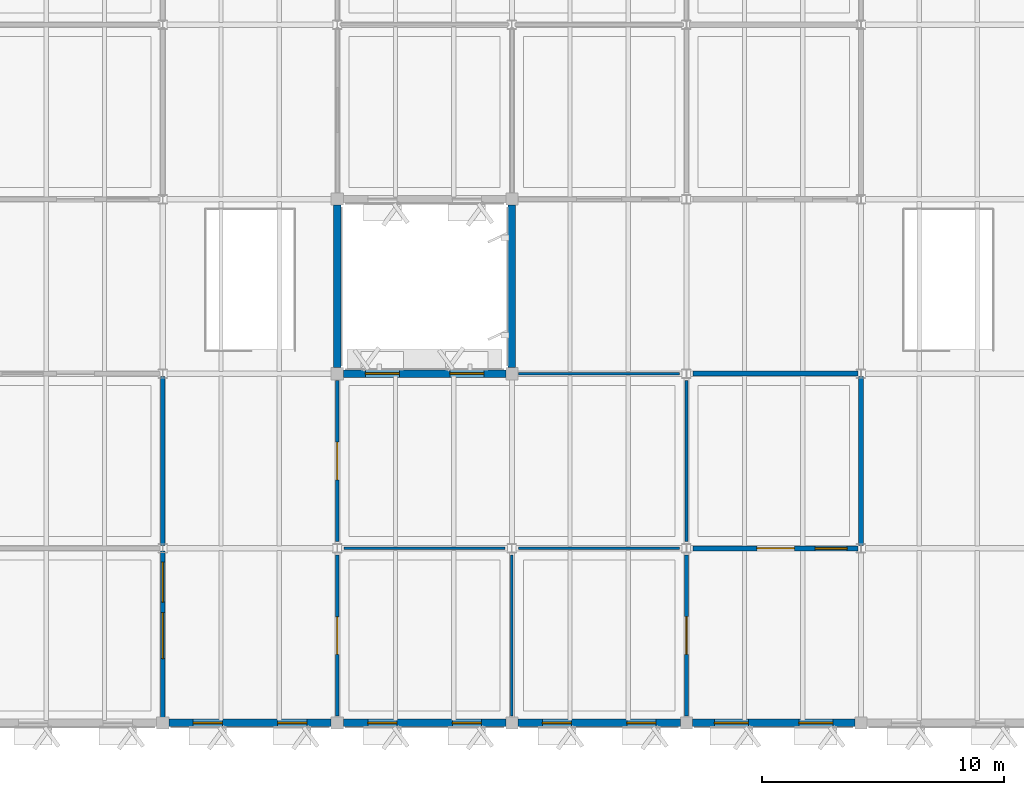
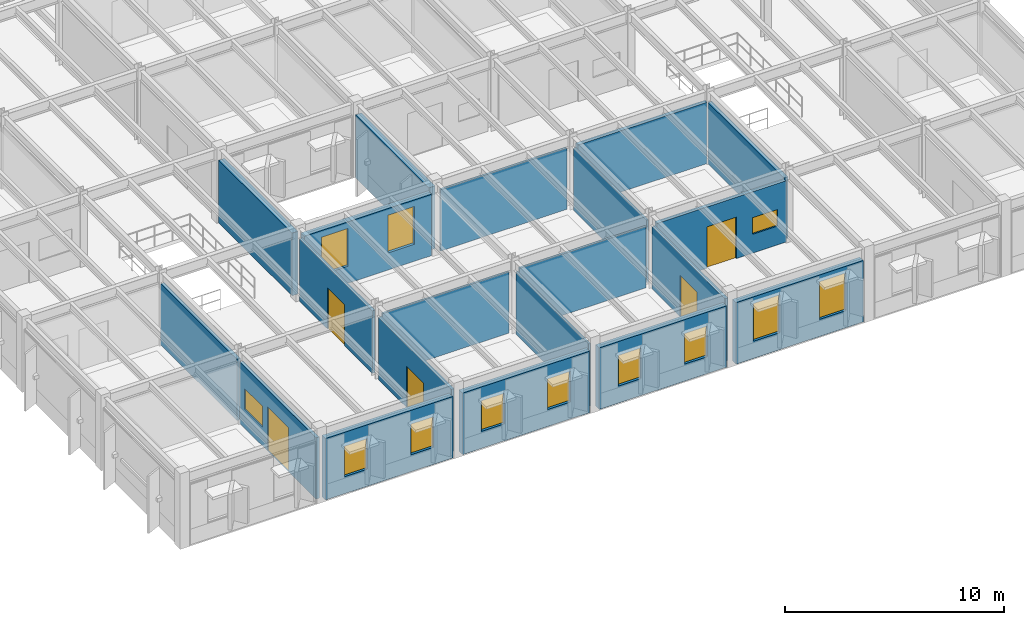
# One storey, part 35 of 85: 20 walls, 12 windows, 5 doors, 17 openings.
"""IFC4 building model written with IfcOpenShell, lengths in metres."""

from ifc_helpers import new_model, si_unit, direction, frame, frame_2d, origin, place, context, subcontext, project, spatial, rectangle, extrude, material, layer, layer_set, type_object, element, fill, save


model = new_model("IFC4")

# Units and contexts
model_context = context("Model", 3, precision=1e-05, world=origin(), true_north=direction((0.0, 1.0)))
body_context = subcontext(model_context, "Body", "Model", "MODEL_VIEW")
ifc_project = project(units=[si_unit("LENGTHUNIT", "METRE"), si_unit("AREAUNIT", "SQUARE_METRE"), si_unit("VOLUMEUNIT", "CUBIC_METRE"), si_unit("PLANEANGLEUNIT", "RADIAN"), si_unit("MASSUNIT", "GRAM", prefix="KILO")], contexts=[model_context])

# Site, building, storey
site_placement = place(None, origin())
site = spatial("IfcSite", under=ifc_project, at=site_placement, CompositionType="ELEMENT")
building_placement = place(site_placement, origin())
building = spatial("IfcBuilding", under=site, at=building_placement, Name="Sillqori Civic Hall", CompositionType="ELEMENT")
storey_placement = place(building_placement, frame((0.0, 0.0, 9.89990234375)))
storey = spatial("IfcBuildingStorey", under=building, at=storey_placement, Name="L03", CompositionType="ELEMENT", Elevation=9.89990234375)

# Wall, openings, windows
ifc_material_1 = material(Name="Precast concrete C40/50 (H40)", Category="concrete")
ifc_layer_1 = layer(ifc_material_1, 0.320068359375)
ifc_layer_set_1 = layer_set([ifc_layer_1], Name="Precast concrete C40/50 (H40)")
wall_type_1 = type_object("IfcWallType", Name="EW-LIME-320", PredefinedType="SOLIDWALL", material=ifc_layer_set_1)
wall_1_placement = place(storey_placement, frame((78.949951171875, 7.199951171875, 0.0), z_axis=(0.0, 0.0, 1.0), x_axis=(-1.0, 0.0, 0.0)))
wall_1 = element("IfcWall", 1, at=wall_1_placement, inside=storey, type_object=wall_type_1, Name="L03 V2 exterior wall L03-10-01-S", PredefinedType="SOLIDWALL", context=body_context, shape_type="SweptSolid", body=[
    extrude(rectangle(XDim=6.699951171875, YDim=0.320068359375, at=frame_2d((3.35009765625, 0.0))), origin(), (0.0, 0.0, 1.0), 3.418212890625),
])
opening_1_placement = place(wall_1_placement, frame((1.008056640625, 0.0, 0.949951171875)))
opening_1 = element("IfcOpeningElement", 2, at=opening_1_placement, cuts=wall_1, Name="Opening W-22", PredefinedType="OPENING", context=body_context, shape_type="SweptSolid", body=[
    extrude(rectangle(XDim=1.199951171875, YDim=1.699951171875, at=frame_2d((0.60009765625, 0.85009765625))), frame((0.0, 0.169921875, 0.0), z_axis=(0.0, -1.0, 0.0), x_axis=(1.0, 0.0, 0.0)), (0.0, 0.0, 1.0), 0.340087890625),
])
opening_2_placement = place(wall_1_placement, frame((4.491943359375, 0.0, 0.949951171875)))
opening_2 = element("IfcOpeningElement", 3, at=opening_2_placement, cuts=wall_1, Name="Opening W-22", PredefinedType="OPENING", context=body_context, shape_type="SweptSolid", body=[
    extrude(rectangle(XDim=1.199951171875, YDim=1.699951171875, at=frame_2d((0.60009765625, 0.85009765625))), frame((0.0, 0.169921875, 0.0), z_axis=(0.0, -1.0, 0.0), x_axis=(1.0, 0.0, 0.0)), (0.0, 0.0, 1.0), 0.340087890625),
])
ifc_material_2 = material(Name="Thermally Broken Aluminium Low-E Window", Category="aluminium")
window_type_1 = type_object("IfcWindowType", Name="WIN-V5-120X170", PartitioningType="SINGLE_PANEL", PredefinedType="WINDOW", material=ifc_material_2)
window_1_placement = place(opening_1_placement, origin())
window_1 = element("IfcWindow", 4, at=window_1_placement, inside=storey, type_object=window_type_1, Name="L03 V2 window L03-10-01-S.1", OverallHeight=1.699951171875, OverallWidth=1.199951171875, PartitioningType="SINGLE_PANEL", PredefinedType="WINDOW", context=body_context, shape_type="SweptSolid", body=[
    extrude(rectangle(XDim=1.199951171875, YDim=1.699951171875, at=frame_2d((0.60009765625, 0.85009765625))), frame((0.0, 0.030029296875, 0.0), z_axis=(0.0, -1.0, 0.0), x_axis=(1.0, 0.0, 0.0)), (0.0, 0.0, 1.0), 0.06005859375),
])
fill(opening_1, window_1)
window_2_placement = place(opening_2_placement, origin())
window_2 = element("IfcWindow", 5, at=window_2_placement, inside=storey, type_object=window_type_1, Name="L03 V2 window L03-10-01-S.2", OverallHeight=1.699951171875, OverallWidth=1.199951171875, PartitioningType="SINGLE_PANEL", PredefinedType="WINDOW", context=body_context, shape_type="SweptSolid", body=[
    extrude(rectangle(XDim=1.199951171875, YDim=1.699951171875, at=frame_2d((0.60009765625, 0.85009765625))), frame((0.0, 0.030029296875, 0.0), z_axis=(0.0, -1.0, 0.0), x_axis=(1.0, 0.0, 0.0)), (0.0, 0.0, 1.0), 0.06005859375),
])
fill(opening_2, window_2)

# Wall
wall_2_placement = place(storey_placement, frame((79.199951171875, 28.550048828125, 0.0), z_axis=(0.0, 0.0, 1.0), x_axis=(0.0, -1.0, 0.0)))
element("IfcWall", 6, at=wall_2_placement, inside=storey, type_object=wall_type_1, Name="L03 V2 exterior wall L03-10-03-E", PredefinedType="SOLIDWALL", context=body_context, shape_type="SweptSolid", body=[
    extrude(rectangle(XDim=6.699951171875, YDim=0.320068359375, at=frame_2d((3.35009765625, 0.0))), origin(), (0.0, 0.0, 1.0), 3.487060546875),
])

# Wall, openings, windows
wall_3_placement = place(storey_placement, frame((86.14990234375, 7.199951171875, 0.0), z_axis=(0.0, 0.0, 1.0), x_axis=(-1.0, 0.0, 0.0)))
wall_3 = element("IfcWall", 7, at=wall_3_placement, inside=storey, type_object=wall_type_1, Name="L03 V2 exterior wall L03-11-01-S", PredefinedType="SOLIDWALL", context=body_context, shape_type="SweptSolid", body=[
    extrude(rectangle(XDim=6.699951171875, YDim=0.320068359375, at=frame_2d((3.35009765625, 0.0))), origin(), (0.0, 0.0, 1.0), 3.418212890625),
])
opening_3_placement = place(wall_3_placement, frame((1.008056640625, 0.0, 0.949951171875)))
opening_3 = element("IfcOpeningElement", 8, at=opening_3_placement, cuts=wall_3, Name="Opening W-22", PredefinedType="OPENING", context=body_context, shape_type="SweptSolid", body=[
    extrude(rectangle(XDim=1.199951171875, YDim=1.699951171875, at=frame_2d((0.60009765625, 0.85009765625))), frame((0.0, 0.169921875, 0.0), z_axis=(0.0, -1.0, 0.0), x_axis=(1.0, 0.0, 0.0)), (0.0, 0.0, 1.0), 0.340087890625),
])
opening_4_placement = place(wall_3_placement, frame((4.491943359375, 0.0, 0.949951171875)))
opening_4 = element("IfcOpeningElement", 9, at=opening_4_placement, cuts=wall_3, Name="Opening W-22", PredefinedType="OPENING", context=body_context, shape_type="SweptSolid", body=[
    extrude(rectangle(XDim=1.199951171875, YDim=1.699951171875, at=frame_2d((0.60009765625, 0.85009765625))), frame((0.0, 0.169921875, 0.0), z_axis=(0.0, -1.0, 0.0), x_axis=(1.0, 0.0, 0.0)), (0.0, 0.0, 1.0), 0.340087890625),
])
window_3_placement = place(opening_3_placement, origin())
window_3 = element("IfcWindow", 10, at=window_3_placement, inside=storey, type_object=window_type_1, Name="L03 V2 window L03-11-01-S.1", OverallHeight=1.699951171875, OverallWidth=1.199951171875, PartitioningType="SINGLE_PANEL", PredefinedType="WINDOW", context=body_context, shape_type="SweptSolid", body=[
    extrude(rectangle(XDim=1.199951171875, YDim=1.699951171875, at=frame_2d((0.60009765625, 0.85009765625))), frame((0.0, 0.030029296875, 0.0), z_axis=(0.0, -1.0, 0.0), x_axis=(1.0, 0.0, 0.0)), (0.0, 0.0, 1.0), 0.06005859375),
])
fill(opening_3, window_3)
window_4_placement = place(opening_4_placement, origin())
window_4 = element("IfcWindow", 11, at=window_4_placement, inside=storey, type_object=window_type_1, Name="L03 V2 window L03-11-01-S.2", OverallHeight=1.699951171875, OverallWidth=1.199951171875, PartitioningType="SINGLE_PANEL", PredefinedType="WINDOW", context=body_context, shape_type="SweptSolid", body=[
    extrude(rectangle(XDim=1.199951171875, YDim=1.699951171875, at=frame_2d((0.60009765625, 0.85009765625))), frame((0.0, 0.030029296875, 0.0), z_axis=(0.0, -1.0, 0.0), x_axis=(1.0, 0.0, 0.0)), (0.0, 0.0, 1.0), 0.06005859375),
])
fill(opening_4, window_4)

wall_4_placement = place(storey_placement, frame((79.449951171875, 21.60009765625, 0.0), z_axis=(0.0, 0.0, 1.0), x_axis=(1.0, 0.0, 0.0)))
wall_4 = element("IfcWall", 12, at=wall_4_placement, inside=storey, type_object=wall_type_1, Name="L03 V2 exterior wall L03-11-02-N", PredefinedType="SOLIDWALL", context=body_context, shape_type="SweptSolid", body=[
    extrude(rectangle(XDim=6.699951171875, YDim=0.320068359375, at=frame_2d((3.35009765625, 0.0))), origin(), (0.0, 0.0, 1.0), 3.418212890625),
])
opening_5_placement = place(wall_4_placement, frame((0.907958984375, 0.0, 0.949951171875)))
opening_5 = element("IfcOpeningElement", 13, at=opening_5_placement, cuts=wall_4, Name="Opening W-03", PredefinedType="OPENING", context=body_context, shape_type="SweptSolid", body=[
    extrude(rectangle(XDim=1.39990234375, YDim=2.10009765625, at=frame_2d((0.699951171875, 1.050048828125))), frame((0.0, 0.169921875, 0.0), z_axis=(0.0, -1.0, 0.0), x_axis=(1.0, 0.0, 0.0)), (0.0, 0.0, 1.0), 0.340087890625),
])
opening_6_placement = place(wall_4_placement, frame((4.39208984375, 0.0, 0.949951171875)))
opening_6 = element("IfcOpeningElement", 14, at=opening_6_placement, cuts=wall_4, Name="Opening W-03", PredefinedType="OPENING", context=body_context, shape_type="SweptSolid", body=[
    extrude(rectangle(XDim=1.39990234375, YDim=2.10009765625, at=frame_2d((0.699951171875, 1.050048828125))), frame((0.0, 0.169921875, 0.0), z_axis=(0.0, -1.0, 0.0), x_axis=(1.0, 0.0, 0.0)), (0.0, 0.0, 1.0), 0.340087890625),
])
window_type_2 = type_object("IfcWindowType", Name="WIN-V2-140X210", PartitioningType="SINGLE_PANEL", PredefinedType="WINDOW", material=ifc_material_2)
window_5_placement = place(opening_5_placement, origin())
window_5 = element("IfcWindow", 15, at=window_5_placement, inside=storey, type_object=window_type_2, Name="L03 V2 window L03-11-02-N.1", OverallHeight=2.10009765625, OverallWidth=1.39990234375, PartitioningType="SINGLE_PANEL", PredefinedType="WINDOW", context=body_context, shape_type="SweptSolid", body=[
    extrude(rectangle(XDim=1.39990234375, YDim=2.10009765625, at=frame_2d((0.699951171875, 1.050048828125))), frame((0.0, 0.030029296875, 0.0), z_axis=(0.0, -1.0, 0.0), x_axis=(1.0, 0.0, 0.0)), (0.0, 0.0, 1.0), 0.06005859375),
])
fill(opening_5, window_5)
window_6_placement = place(opening_6_placement, origin())
window_6 = element("IfcWindow", 16, at=window_6_placement, inside=storey, type_object=window_type_2, Name="L03 V2 window L03-11-02-N.2", OverallHeight=2.10009765625, OverallWidth=1.39990234375, PartitioningType="SINGLE_PANEL", PredefinedType="WINDOW", context=body_context, shape_type="SweptSolid", body=[
    extrude(rectangle(XDim=1.39990234375, YDim=2.10009765625, at=frame_2d((0.699951171875, 1.050048828125))), frame((0.0, 0.030029296875, 0.0), z_axis=(0.0, -1.0, 0.0), x_axis=(1.0, 0.0, 0.0)), (0.0, 0.0, 1.0), 0.06005859375),
])
fill(opening_6, window_6)

wall_5_placement = place(storey_placement, frame((93.35009765625, 7.199951171875, 0.0), z_axis=(0.0, 0.0, 1.0), x_axis=(-1.0, 0.0, 0.0)))
wall_5 = element("IfcWall", 17, at=wall_5_placement, inside=storey, type_object=wall_type_1, Name="L03 V2 exterior wall L03-12-01-S", PredefinedType="SOLIDWALL", context=body_context, shape_type="SweptSolid", body=[
    extrude(rectangle(XDim=6.7001953125, YDim=0.320068359375, at=frame_2d((3.35009765625, 0.0))), origin(), (0.0, 0.0, 1.0), 3.418212890625),
])
opening_7_placement = place(wall_5_placement, frame((1.008056640625, 0.0, 0.949951171875)))
opening_7 = element("IfcOpeningElement", 18, at=opening_7_placement, cuts=wall_5, Name="Opening W-22", PredefinedType="OPENING", context=body_context, shape_type="SweptSolid", body=[
    extrude(rectangle(XDim=1.199951171875, YDim=1.699951171875, at=frame_2d((0.60009765625, 0.85009765625))), frame((0.0, 0.169921875, 0.0), z_axis=(0.0, -1.0, 0.0), x_axis=(1.0, 0.0, 0.0)), (0.0, 0.0, 1.0), 0.340087890625),
])
opening_8_placement = place(wall_5_placement, frame((4.491943359375, 0.0, 0.949951171875)))
opening_8 = element("IfcOpeningElement", 19, at=opening_8_placement, cuts=wall_5, Name="Opening W-22", PredefinedType="OPENING", context=body_context, shape_type="SweptSolid", body=[
    extrude(rectangle(XDim=1.199951171875, YDim=1.699951171875, at=frame_2d((0.60009765625, 0.85009765625))), frame((0.0, 0.169921875, 0.0), z_axis=(0.0, -1.0, 0.0), x_axis=(1.0, 0.0, 0.0)), (0.0, 0.0, 1.0), 0.340087890625),
])
window_7_placement = place(opening_7_placement, origin())
window_7 = element("IfcWindow", 20, at=window_7_placement, inside=storey, type_object=window_type_1, Name="L03 V2 window L03-12-01-S.1", OverallHeight=1.699951171875, OverallWidth=1.199951171875, PartitioningType="SINGLE_PANEL", PredefinedType="WINDOW", context=body_context, shape_type="SweptSolid", body=[
    extrude(rectangle(XDim=1.199951171875, YDim=1.699951171875, at=frame_2d((0.60009765625, 0.85009765625))), frame((0.0, 0.030029296875, 0.0), z_axis=(0.0, -1.0, 0.0), x_axis=(1.0, 0.0, 0.0)), (0.0, 0.0, 1.0), 0.06005859375),
])
fill(opening_7, window_7)
window_8_placement = place(opening_8_placement, origin())
window_8 = element("IfcWindow", 21, at=window_8_placement, inside=storey, type_object=window_type_1, Name="L03 V2 window L03-12-01-S.2", OverallHeight=1.699951171875, OverallWidth=1.199951171875, PartitioningType="SINGLE_PANEL", PredefinedType="WINDOW", context=body_context, shape_type="SweptSolid", body=[
    extrude(rectangle(XDim=1.199951171875, YDim=1.699951171875, at=frame_2d((0.60009765625, 0.85009765625))), frame((0.0, 0.030029296875, 0.0), z_axis=(0.0, -1.0, 0.0), x_axis=(1.0, 0.0, 0.0)), (0.0, 0.0, 1.0), 0.06005859375),
])
fill(opening_8, window_8)

# Wall
wall_6_placement = place(storey_placement, frame((86.39990234375, 21.85009765625, 0.0), z_axis=(0.0, 0.0, 1.0), x_axis=(0.0, 1.0, 0.0)))
element("IfcWall", 22, at=wall_6_placement, inside=storey, type_object=wall_type_1, Name="L03 V2 exterior wall L03-12-03-W", PredefinedType="SOLIDWALL", context=body_context, shape_type="SweptSolid", body=[
    extrude(rectangle(XDim=6.699951171875, YDim=0.320068359375, at=frame_2d((3.35009765625, 0.0))), origin(), (0.0, 0.0, 1.0), 3.487060546875),
])

# Wall, openings, windows
wall_7_placement = place(storey_placement, frame((100.550048828125, 7.199951171875, 0.0), z_axis=(0.0, 0.0, 1.0), x_axis=(-1.0, 0.0, 0.0)))
wall_7 = element("IfcWall", 23, at=wall_7_placement, inside=storey, type_object=wall_type_1, Name="L03 V2 exterior wall L03-13-01-S", PredefinedType="SOLIDWALL", context=body_context, shape_type="SweptSolid", body=[
    extrude(rectangle(XDim=6.699951171875, YDim=0.320068359375, at=frame_2d((3.35009765625, 0.0))), origin(), (0.0, 0.0, 1.0), 3.418212890625),
])
opening_9_placement = place(wall_7_placement, frame((0.907958984375, 0.0, 0.949951171875)))
opening_9 = element("IfcOpeningElement", 24, at=opening_9_placement, cuts=wall_7, Name="Opening W-03", PredefinedType="OPENING", context=body_context, shape_type="SweptSolid", body=[
    extrude(rectangle(XDim=1.39990234375, YDim=2.10009765625, at=frame_2d((0.699951171875, 1.050048828125))), frame((0.0, 0.169921875, 0.0), z_axis=(0.0, -1.0, 0.0), x_axis=(1.0, 0.0, 0.0)), (0.0, 0.0, 1.0), 0.340087890625),
])
opening_10_placement = place(wall_7_placement, frame((4.39208984375, 0.0, 0.949951171875)))
opening_10 = element("IfcOpeningElement", 25, at=opening_10_placement, cuts=wall_7, Name="Opening W-03", PredefinedType="OPENING", context=body_context, shape_type="SweptSolid", body=[
    extrude(rectangle(XDim=1.39990234375, YDim=2.10009765625, at=frame_2d((0.699951171875, 1.050048828125))), frame((0.0, 0.169921875, 0.0), z_axis=(0.0, -1.0, 0.0), x_axis=(1.0, 0.0, 0.0)), (0.0, 0.0, 1.0), 0.340087890625),
])
window_9_placement = place(opening_9_placement, origin())
window_9 = element("IfcWindow", 26, at=window_9_placement, inside=storey, type_object=window_type_2, Name="L03 V2 window L03-13-01-S.1", OverallHeight=2.10009765625, OverallWidth=1.39990234375, PartitioningType="SINGLE_PANEL", PredefinedType="WINDOW", context=body_context, shape_type="SweptSolid", body=[
    extrude(rectangle(XDim=1.39990234375, YDim=2.10009765625, at=frame_2d((0.699951171875, 1.050048828125))), frame((0.0, 0.030029296875, 0.0), z_axis=(0.0, -1.0, 0.0), x_axis=(1.0, 0.0, 0.0)), (0.0, 0.0, 1.0), 0.06005859375),
])
fill(opening_9, window_9)
window_10_placement = place(opening_10_placement, origin())
window_10 = element("IfcWindow", 27, at=window_10_placement, inside=storey, type_object=window_type_2, Name="L03 V2 window L03-13-01-S.2", OverallHeight=2.10009765625, OverallWidth=1.39990234375, PartitioningType="SINGLE_PANEL", PredefinedType="WINDOW", context=body_context, shape_type="SweptSolid", body=[
    extrude(rectangle(XDim=1.39990234375, YDim=2.10009765625, at=frame_2d((0.699951171875, 1.050048828125))), frame((0.0, 0.030029296875, 0.0), z_axis=(0.0, -1.0, 0.0), x_axis=(1.0, 0.0, 0.0)), (0.0, 0.0, 1.0), 0.06005859375),
])
fill(opening_10, window_10)

# Walls
ifc_material_3 = material(Name="Acoustic Steel-Stud Gypsum Partition 100", Category="steel")
ifc_layer_2 = layer(ifc_material_3, 0.10009765625)
ifc_layer_set_2 = layer_set([ifc_layer_2], Name="Acoustic Steel-Stud Gypsum Partition 100")
wall_type_2 = type_object("IfcWallType", Name="PT-GYP-100", PredefinedType="PARTITIONING", material=ifc_layer_set_2)
wall_8_placement = place(storey_placement, frame((79.47998046875, 14.39990234375, 0.0), z_axis=(0.0, 0.0, 1.0), x_axis=(1.0, 0.0, 0.0)))
element("IfcWall", 28, at=wall_8_placement, inside=storey, type_object=wall_type_2, Name="Citizen Participatory Budgeting Forum Hall L03-06 partition N2", PredefinedType="PARTITIONING", context=body_context, shape_type="SweptSolid", body=[
    extrude(rectangle(XDim=6.64013671875, YDim=0.10009765625, at=frame_2d((3.320068359375, 0.0))), origin(), (0.0, 0.0, 1.0), 3.408203125),
])
wall_9_placement = place(storey_placement, frame((86.39990234375, 14.1201171875, 0.0), z_axis=(0.0, 0.0, 1.0), x_axis=(0.0, -1.0, 0.0)))
element("IfcWall", 29, at=wall_9_placement, inside=storey, type_object=wall_type_2, Name="Citizen Participatory Budgeting Forum Hall L03-06 partition E3", PredefinedType="PARTITIONING", context=body_context, shape_type="SweptSolid", body=[
    extrude(rectangle(XDim=6.64013671875, YDim=0.10009765625, at=frame_2d((3.320068359375, 0.0))), origin(), (0.0, 0.0, 1.0), 3.47705078125),
])
ifc_material_4 = material(Name="Acoustic Steel-Stud Gypsum Partition 112", Category="steel")
ifc_layer_3 = layer(ifc_material_4, 0.112060546875)
ifc_layer_set_3 = layer_set([ifc_layer_3], Name="Acoustic Steel-Stud Gypsum Partition 112")
wall_type_3 = type_object("IfcWallType", Name="PT-GYP-112", PredefinedType="PARTITIONING", material=ifc_layer_set_3)
for number, where, z_axis, x_axis, name in (
    (30, (93.320068359375, 14.39990234375, 0.0), (0.0, 0.0, 1.0), (-1.0, 0.0, 0.0), "Youth Municipal Council Workshop Studio L03-07 partition S3"),
    (31, (86.679931640625, 21.60009765625, 0.0), (0.0, 0.0, 1.0), (1.0, 0.0, 0.0), "Youth Municipal Council Workshop Studio L03-07 partition N4"),
):
    element("IfcWall", number, at=place(storey_placement, frame(where, z_axis=z_axis, x_axis=x_axis)), inside=storey, type_object=wall_type_3, Name=name, PredefinedType="PARTITIONING", context=body_context, shape_type="SweptSolid", body=[
        extrude(rectangle(XDim=6.64013671875, YDim=0.112060546875, at=frame_2d((3.320068359375, 0.0))), origin(), (0.0, 0.0, 1.0), 3.408203125),
    ])
wall_10_placement = place(storey_placement, frame((93.60009765625, 21.320068359375, 0.0), z_axis=(0.0, 0.0, 1.0), x_axis=(0.0, -1.0, 0.0)))
element("IfcWall", 32, at=wall_10_placement, inside=storey, type_object=wall_type_3, Name="Youth Municipal Council Workshop Studio L03-07 partition E5", PredefinedType="PARTITIONING", context=body_context, shape_type="SweptSolid", body=[
    extrude(rectangle(XDim=6.64013671875, YDim=0.112060546875, at=frame_2d((3.320068359375, 0.0))), origin(), (0.0, 0.0, 1.0), 3.47705078125),
])

# Wall, opening, door
ifc_material_5 = material(Name="Corridor Fire-Rated Partition 150", Category="gypsum")
ifc_layer_4 = layer(ifc_material_5, 0.14990234375)
ifc_layer_set_4 = layer_set([ifc_layer_4], Name="Corridor Fire-Rated Partition 150")
wall_type_4 = type_object("IfcWallType", Name="PT-GYP-150", PredefinedType="PARTITIONING", material=ifc_layer_set_4)
wall_11_placement = place(storey_placement, frame((79.199951171875, 7.47998046875, 0.0), z_axis=(0.0, 0.0, 1.0), x_axis=(0.0, 1.0, 0.0)))
wall_11 = element("IfcWall", 33, at=wall_11_placement, inside=storey, type_object=wall_type_4, Name="Citizen Participatory Budgeting Forum Hall L03-06 partition W1", PredefinedType="PARTITIONING", context=body_context, shape_type="SweptSolid", body=[
    extrude(rectangle(XDim=6.64013671875, YDim=0.14990234375, at=frame_2d((3.320068359375, 0.0))), origin(), (0.0, 0.0, 1.0), 3.47705078125),
])
opening_11_placement = place(wall_11_placement, frame((2.544921875, 0.0, 0.0)))
opening_11 = element("IfcOpeningElement", 34, at=opening_11_placement, cuts=wall_11, Name="Opening ID-08", PredefinedType="OPENING", context=body_context, shape_type="SweptSolid", body=[
    extrude(rectangle(XDim=1.550048828125, YDim=2.300048828125, at=frame_2d((0.77490234375, 1.14990234375))), frame((0.0, 0.0849609375, 0.0), z_axis=(0.0, -1.0, 0.0), x_axis=(1.0, 0.0, 0.0)), (0.0, 0.0, 1.0), 0.169921875),
])
ifc_material_6 = material(Name="Community Room Double Leaf Door", Category="timber")
door_type_1 = type_object("IfcDoorType", Name="IDR-CMY-155X230", OperationType="NOTDEFINED", PredefinedType="DOOR", material=ifc_material_6)
door_1_placement = place(opening_11_placement, origin())
door_1 = element("IfcDoor", 35, at=door_1_placement, inside=storey, type_object=door_type_1, Name="Citizen Participatory Budgeting Forum Hall L03-06 entrance door", OperationType="DOUBLE_DOOR_SINGLE_SWING", OverallHeight=2.300048828125, OverallWidth=1.550048828125, PredefinedType="DOOR", context=body_context, shape_type="SweptSolid", body=[
    extrude(rectangle(XDim=1.550048828125, YDim=2.300048828125, at=frame_2d((0.77490234375, 1.14990234375))), frame((0.0, 0.02490234375, 0.0), z_axis=(0.0, -1.0, 0.0), x_axis=(1.0, 0.0, 0.0)), (0.0, 0.0, 1.0), 0.050048828125),
])
fill(opening_11, door_1)

wall_12_placement = place(storey_placement, frame((79.199951171875, 14.679931640625, 0.0), z_axis=(0.0, 0.0, 1.0), x_axis=(0.0, 1.0, 0.0)))
wall_12 = element("IfcWall", 36, at=wall_12_placement, inside=storey, type_object=wall_type_4, Name="Youth Municipal Council Workshop Studio L03-07 partition W1", PredefinedType="PARTITIONING", context=body_context, shape_type="SweptSolid", body=[
    extrude(rectangle(XDim=6.64013671875, YDim=0.14990234375, at=frame_2d((3.320068359375, 0.0))), origin(), (0.0, 0.0, 1.0), 3.47705078125),
])
opening_12_placement = place(wall_12_placement, frame((2.544921875, 0.0, 0.0)))
opening_12 = element("IfcOpeningElement", 37, at=opening_12_placement, cuts=wall_12, Name="Opening ID-08", PredefinedType="OPENING", context=body_context, shape_type="SweptSolid", body=[
    extrude(rectangle(XDim=1.550048828125, YDim=2.300048828125, at=frame_2d((0.77490234375, 1.14990234375))), frame((0.0, 0.0849609375, 0.0), z_axis=(0.0, -1.0, 0.0), x_axis=(1.0, 0.0, 0.0)), (0.0, 0.0, 1.0), 0.169921875),
])
door_2_placement = place(opening_12_placement, origin())
door_2 = element("IfcDoor", 38, at=door_2_placement, inside=storey, type_object=door_type_1, Name="Youth Municipal Council Workshop Studio L03-07 entrance door", OperationType="DOUBLE_DOOR_SINGLE_SWING", OverallHeight=2.300048828125, OverallWidth=1.550048828125, PredefinedType="DOOR", context=body_context, shape_type="SweptSolid", body=[
    extrude(rectangle(XDim=1.550048828125, YDim=2.300048828125, at=frame_2d((0.77490234375, 1.14990234375))), frame((0.0, 0.02490234375, 0.0), z_axis=(0.0, -1.0, 0.0), x_axis=(1.0, 0.0, 0.0)), (0.0, 0.0, 1.0), 0.050048828125),
])
fill(opening_12, door_2)

ifc_material_7 = material(Name="Committee Acoustic Baffle Wall 162", Category="gypsum")
ifc_layer_5 = layer(ifc_material_7, 0.162109375)
ifc_layer_set_5 = layer_set([ifc_layer_5], Name="Committee Acoustic Baffle Wall 162")
wall_type_5 = type_object("IfcWallType", Name="PT-GYP-162", PredefinedType="PARTITIONING", material=ifc_layer_set_5)
wall_13_placement = place(storey_placement, frame((93.60009765625, 14.1201171875, 0.0), z_axis=(0.0, 0.0, 1.0), x_axis=(0.0, -1.0, 0.0)))
wall_13 = element("IfcWall", 39, at=wall_13_placement, inside=storey, type_object=wall_type_5, Name="Youth Municipal Council Workshop Studio L03-11 partition E1", PredefinedType="PARTITIONING", context=body_context, shape_type="SweptSolid", body=[
    extrude(rectangle(XDim=6.64013671875, YDim=0.162109375, at=frame_2d((3.320068359375, 0.0))), origin(), (0.0, 0.0, 1.0), 3.47705078125),
])
opening_13_placement = place(wall_13_placement, frame((2.544921875, 0.0, 0.0)))
opening_13 = element("IfcOpeningElement", 40, at=opening_13_placement, cuts=wall_13, Name="Opening ID-08", PredefinedType="OPENING", context=body_context, shape_type="SweptSolid", body=[
    extrude(rectangle(XDim=1.550048828125, YDim=2.300048828125, at=frame_2d((0.77490234375, 1.14990234375))), frame((0.0, 0.091064453125, 0.0), z_axis=(0.0, -1.0, 0.0), x_axis=(1.0, 0.0, 0.0)), (0.0, 0.0, 1.0), 0.18212890625),
])
door_3_placement = place(opening_13_placement, origin())
door_3 = element("IfcDoor", 41, at=door_3_placement, inside=storey, type_object=door_type_1, Name="Youth Municipal Council Workshop Studio L03-11 entrance door", OperationType="DOUBLE_DOOR_SINGLE_SWING", OverallHeight=2.300048828125, OverallWidth=1.550048828125, PredefinedType="DOOR", context=body_context, shape_type="SweptSolid", body=[
    extrude(rectangle(XDim=1.550048828125, YDim=2.300048828125, at=frame_2d((0.77490234375, 1.14990234375))), frame((0.0, 0.02490234375, 0.0), z_axis=(0.0, -1.0, 0.0), x_axis=(1.0, 0.0, 0.0)), (0.0, 0.0, 1.0), 0.050048828125),
])
fill(opening_13, door_3)

# Wall, openings, door, window
ifc_material_8 = material(Name="Concrete C25/30 (H25)", Category="concrete")
ifc_layer_6 = layer(ifc_material_8, 0.172119140625)
ifc_layer_set_6 = layer_set([ifc_layer_6], Name="Concrete C25/30 (H25)")
wall_type_6 = type_object("IfcWallType", Name="PT-MAS-172", PredefinedType="PARTITIONING", material=ifc_layer_set_6)
wall_14_placement = place(storey_placement, frame((72.0, 14.280029296875, 0.0), z_axis=(0.0, 0.0, 1.0), x_axis=(0.0, -1.0, 0.0)))
wall_14 = element("IfcWall", 42, at=wall_14_placement, inside=storey, type_object=wall_type_6, Name="Civic Heritage Exhibition Gallery partition E1", PredefinedType="PARTITIONING", context=body_context, shape_type="SweptSolid", body=[
    extrude(rectangle(XDim=6.9599609375, YDim=0.172119140625, at=frame_2d((3.47998046875, 0.0))), origin(), (0.0, 0.0, 1.0), 3.408203125),
])
opening_14_placement = place(wall_14_placement, frame((2.530029296875, 0.0, 0.0)))
opening_14 = element("IfcOpeningElement", 43, at=opening_14_placement, cuts=wall_14, Name="Opening ID-11", PredefinedType="OPENING", context=body_context, shape_type="SweptSolid", body=[
    extrude(rectangle(XDim=1.89990234375, YDim=2.449951171875, at=frame_2d((0.949951171875, 1.22509765625))), frame((0.0, 0.095947265625, 0.0), z_axis=(0.0, -1.0, 0.0), x_axis=(1.0, 0.0, 0.0)), (0.0, 0.0, 1.0), 0.192138671875),
])
opening_15_placement = place(wall_14_placement, frame((0.449951171875, 0.0, 1.050048828125)))
opening_15 = element("IfcOpeningElement", 44, at=opening_15_placement, cuts=wall_14, Name="Opening IW-12", PredefinedType="OPENING", context=body_context, shape_type="SweptSolid", body=[
    extrude(rectangle(XDim=1.64990234375, YDim=1.14990234375, at=frame_2d((0.824951171875, 0.574951171875))), frame((0.0, 0.095947265625, 0.0), z_axis=(0.0, -1.0, 0.0), x_axis=(1.0, 0.0, 0.0)), (0.0, 0.0, 1.0), 0.192138671875),
])
ifc_material_9 = material(Name="Exhibition Gallery Portal Door", Category="aluminium")
door_type_2 = type_object("IfcDoorType", Name="IDR-EXH-190X245", OperationType="NOTDEFINED", PredefinedType="DOOR", material=ifc_material_9)
door_4_placement = place(opening_14_placement, origin())
door_4 = element("IfcDoor", 45, at=door_4_placement, inside=storey, type_object=door_type_2, Name="Civic Heritage Exhibition Gallery entrance door", OperationType="DOUBLE_DOOR_SINGLE_SWING", OverallHeight=2.449951171875, OverallWidth=1.89990234375, PredefinedType="DOOR", context=body_context, shape_type="SweptSolid", body=[
    extrude(rectangle(XDim=1.89990234375, YDim=2.449951171875, at=frame_2d((0.949951171875, 1.22509765625))), frame((0.0, 0.02490234375, 0.0), z_axis=(0.0, -1.0, 0.0), x_axis=(1.0, 0.0, 0.0)), (0.0, 0.0, 1.0), 0.050048828125),
])
fill(opening_14, door_4)
ifc_material_10 = material(Name="Acoustic Laminated Interior Clerestory Glazing", Category="glass")
window_type_3 = type_object("IfcWindowType", Name="IWN-STU-165X115", PartitioningType="SINGLE_PANEL", PredefinedType="WINDOW", material=ifc_material_10)
window_11_placement = place(opening_15_placement, origin())
window_11 = element("IfcWindow", 46, at=window_11_placement, inside=storey, type_object=window_type_3, Name="Civic Heritage Exhibition Gallery borrowed-light screen", OverallHeight=1.14990234375, OverallWidth=1.64990234375, PartitioningType="SINGLE_PANEL", PredefinedType="WINDOW", context=body_context, shape_type="SweptSolid", body=[
    extrude(rectangle(XDim=1.64990234375, YDim=1.14990234375, at=frame_2d((0.824951171875, 0.574951171875))), frame((0.0, 0.030029296875, 0.0), z_axis=(0.0, -1.0, 0.0), x_axis=(1.0, 0.0, 0.0)), (0.0, 0.0, 1.0), 0.06005859375),
])
fill(opening_15, window_11)

# Wall
ifc_layer_7 = layer(ifc_material_8, 0.179931640625)
ifc_layer_set_7 = layer_set([ifc_layer_7], Name="Concrete C25/30 (H25)")
wall_type_7 = type_object("IfcWallType", Name="PT-MAS-180", PredefinedType="PARTITIONING", material=ifc_layer_set_7)
wall_15_placement = place(storey_placement, frame((72.0, 21.47998046875, 0.0), z_axis=(0.0, 0.0, 1.0), x_axis=(0.0, -1.0, 0.0)))
element("IfcWall", 47, at=wall_15_placement, inside=storey, type_object=wall_type_7, Name="Citizen Participatory Budgeting Forum Hall partition E3", PredefinedType="PARTITIONING", context=body_context, shape_type="SweptSolid", body=[
    extrude(rectangle(XDim=6.9599609375, YDim=0.179931640625, at=frame_2d((3.47998046875, 0.0))), origin(), (0.0, 0.0, 1.0), 3.408203125),
])

# Wall, openings, door, window
ifc_layer_8 = layer(ifc_material_8, 0.205078125)
ifc_layer_set_8 = layer_set([ifc_layer_8], Name="Concrete C25/30 (H25)")
wall_type_8 = type_object("IfcWallType", Name="PT-MAS-205", PredefinedType="PARTITIONING", material=ifc_layer_set_8)
wall_16_placement = place(storey_placement, frame((100.679931640625, 14.39990234375, 0.0), z_axis=(0.0, 0.0, 1.0), x_axis=(-1.0, 0.0, 0.0)))
wall_16 = element("IfcWall", 48, at=wall_16_placement, inside=storey, type_object=wall_type_8, Name="Citizen Participatory Budgeting Forum Hall L03-14 partition S1", PredefinedType="PARTITIONING", context=body_context, shape_type="SweptSolid", body=[
    extrude(rectangle(XDim=6.800048828125, YDim=0.205078125, at=frame_2d((3.39990234375, 0.0))), origin(), (0.0, 0.0, 1.0), 3.408203125),
])
opening_16_placement = place(wall_16_placement, frame((2.625, 0.0, 0.0)))
opening_16 = element("IfcOpeningElement", 49, at=opening_16_placement, cuts=wall_16, Name="Opening ID-08", PredefinedType="OPENING", context=body_context, shape_type="SweptSolid", body=[
    extrude(rectangle(XDim=1.550048828125, YDim=2.300048828125, at=frame_2d((0.77490234375, 1.14990234375))), frame((0.0, 0.112548828125, 0.0), z_axis=(0.0, -1.0, 0.0), x_axis=(1.0, 0.0, 0.0)), (0.0, 0.0, 1.0), 0.22509765625),
])
opening_17_placement = place(wall_16_placement, frame((0.449951171875, 0.0, 1.050048828125)))
opening_17 = element("IfcOpeningElement", 50, at=opening_17_placement, cuts=wall_16, Name="Opening IW-27", PredefinedType="OPENING", context=body_context, shape_type="SweptSolid", body=[
    extrude(rectangle(XDim=1.320068359375, YDim=0.919921875, at=frame_2d((0.66015625, 0.4599609375))), frame((0.0, 0.112548828125, 0.0), z_axis=(0.0, -1.0, 0.0), x_axis=(1.0, 0.0, 0.0)), (0.0, 0.0, 1.0), 0.22509765625),
])
door_5_placement = place(opening_16_placement, origin())
door_5 = element("IfcDoor", 51, at=door_5_placement, inside=storey, type_object=door_type_1, Name="Citizen Participatory Budgeting Forum Hall L03-14 entrance door", OperationType="DOUBLE_DOOR_SINGLE_SWING", OverallHeight=2.300048828125, OverallWidth=1.550048828125, PredefinedType="DOOR", context=body_context, shape_type="SweptSolid", body=[
    extrude(rectangle(XDim=1.550048828125, YDim=2.300048828125, at=frame_2d((0.77490234375, 1.14990234375))), frame((0.0, 0.02490234375, 0.0), z_axis=(0.0, -1.0, 0.0), x_axis=(1.0, 0.0, 0.0)), (0.0, 0.0, 1.0), 0.050048828125),
])
fill(opening_16, door_5)
window_type_4 = type_object("IfcWindowType", Name="IWN-GAL-132X092", PartitioningType="SINGLE_PANEL", PredefinedType="WINDOW", material=ifc_material_10)
window_12_placement = place(opening_17_placement, origin())
window_12 = element("IfcWindow", 52, at=window_12_placement, inside=storey, type_object=window_type_4, Name="Citizen Participatory Budgeting Forum Hall L03-14 borrowed-light screen", OverallHeight=0.919921875, OverallWidth=1.320068359375, PartitioningType="SINGLE_PANEL", PredefinedType="WINDOW", context=body_context, shape_type="SweptSolid", body=[
    extrude(rectangle(XDim=1.320068359375, YDim=0.919921875, at=frame_2d((0.66015625, 0.4599609375))), frame((0.0, 0.030029296875, 0.0), z_axis=(0.0, -1.0, 0.0), x_axis=(1.0, 0.0, 0.0)), (0.0, 0.0, 1.0), 0.06005859375),
])
fill(opening_17, window_12)

# Walls
wall_17_placement = place(storey_placement, frame((93.8798828125, 21.60009765625, 0.0), z_axis=(0.0, 0.0, 1.0), x_axis=(1.0, 0.0, 0.0)))
element("IfcWall", 53, at=wall_17_placement, inside=storey, type_object=wall_type_8, Name="Citizen Participatory Budgeting Forum Hall L03-14 partition N2", PredefinedType="PARTITIONING", context=body_context, shape_type="SweptSolid", body=[
    extrude(rectangle(XDim=6.800048828125, YDim=0.205078125, at=frame_2d((3.39990234375, 0.0))), origin(), (0.0, 0.0, 1.0), 3.408203125),
])
wall_18_placement = place(storey_placement, frame((100.800048828125, 21.47998046875, 0.0), z_axis=(0.0, 0.0, 1.0), x_axis=(0.0, -1.0, 0.0)))
element("IfcWall", 54, at=wall_18_placement, inside=storey, type_object=wall_type_8, Name="Citizen Participatory Budgeting Forum Hall L03-14 partition E4", PredefinedType="PARTITIONING", context=body_context, shape_type="SweptSolid", body=[
    extrude(rectangle(XDim=6.9599609375, YDim=0.205078125, at=frame_2d((3.47998046875, 0.0))), origin(), (0.0, 0.0, 1.0), 3.408203125),
])

save(model, "model.ifc")
